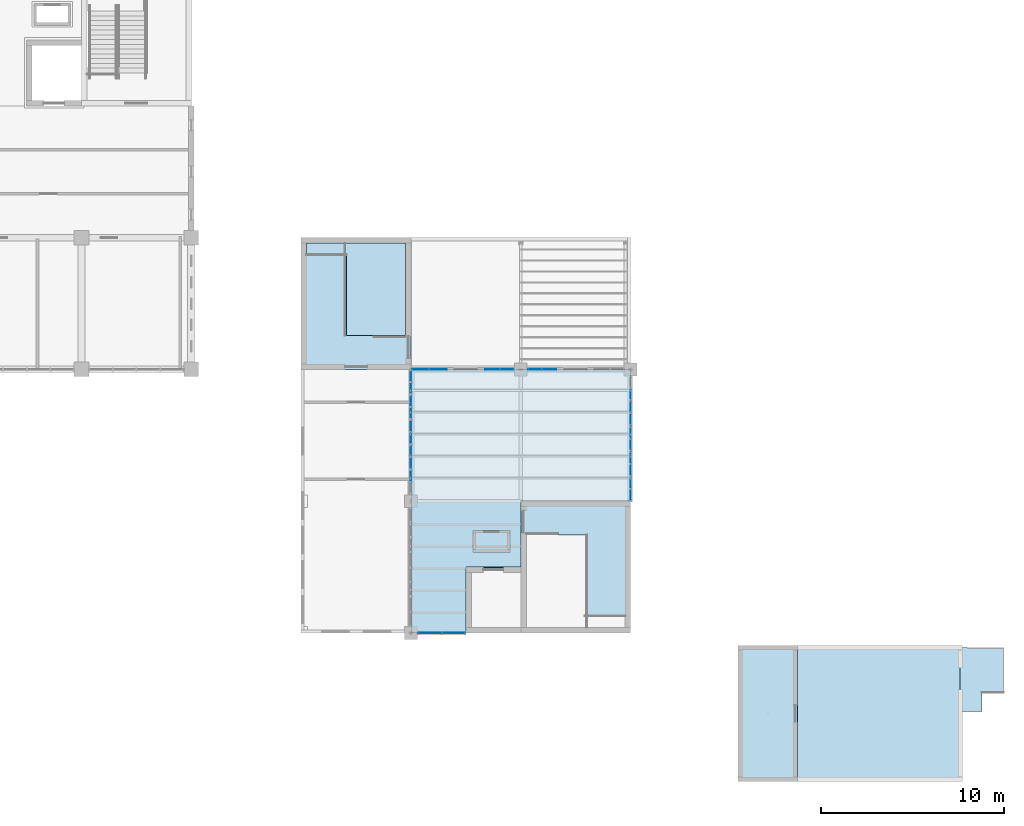
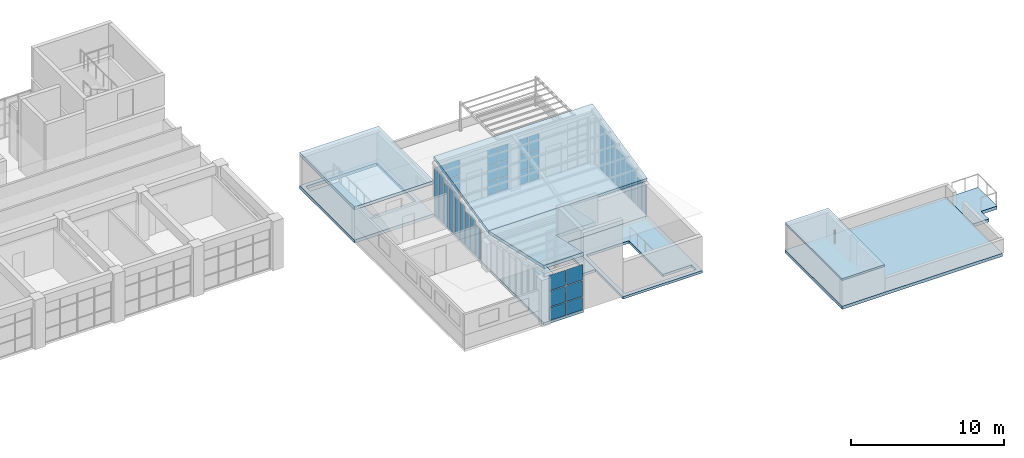
# One storey, part 34 of 51: 42 plates, 9 slabs, 14 elements without a shape of their own.
"""IFC4 building model written with IfcOpenShell, lengths in metres."""

import ifcopenshell
import ifcopenshell.guid

model = None  # the IFC model being written
_history = None  # IfcOwnerHistory: only IFC2X3 demands one
_inside = {}  # id of a spatial element -> (the spatial element, [elements in it])
_under = {}  # id of a project, library or spatial element -> (it, [spatial elements below it])
_declared = {}  # id of a project -> (the project, [libraries it declares])
_typed = {}  # id of a type object -> (the type object, [elements of that type])
_made_of = {}  # id of a material, layer set ... -> (it, [elements and type objects made of it])


def new_model(schema):
    """Start an empty IFC model of exactly this schema.

    Asked for "IFC4X3", IfcOpenShell would pick the latest addendum, in which some entities
    have other attributes; the version numbers below select the first issue.
    IFC2X3 requires an IfcOwnerHistory on every rooted entity: one is made here for all.
    """
    global model, _history
    if schema == "IFC4X3":
        model = ifcopenshell.file(schema_version=(4, 3, 0, 0))
    else:
        model = ifcopenshell.file(schema=schema)
    _inside.clear()
    _under.clear()
    _declared.clear()
    _typed.clear()
    _made_of.clear()
    _history = None
    if model.schema == "IFC2X3":
        org = make("IfcOrganization", Name="unknown")
        user = make(
            "IfcPersonAndOrganization",
            ThePerson=make("IfcPerson", FamilyName="unknown"),
            TheOrganization=org,
        )
        app = make(
            "IfcApplication",
            ApplicationDeveloper=org,
            Version="unknown",
            ApplicationFullName="unknown",
            ApplicationIdentifier="unknown",
        )
        _history = make(
            "IfcOwnerHistory",
            OwningUser=user,
            OwningApplication=app,
            ChangeAction="ADDED",
            CreationDate=0,
        )
    return model


def make(cls, **values):
    """One entity of the class cls with the attributes given. An attribute that is None is left unset."""
    return model.create_entity(
        cls, **{name: value for name, value in values.items() if value is not None}
    )


def rooted(cls, **values):
    """An entity with a GlobalId (a new one), such as an element, a storey or a relation."""
    return make(cls, GlobalId=ifcopenshell.guid.new(), OwnerHistory=_history, **values)


def si_unit(unit_type, name, prefix=None):
    """IfcSIUnit, for example si_unit("LENGTHUNIT", "METRE", prefix="MILLI")."""
    return make("IfcSIUnit", UnitType=unit_type, Prefix=prefix, Name=name)


def assignment(units):
    """IfcUnitAssignment: the units of a project."""
    return None if units is None else make("IfcUnitAssignment", Units=units)


def point(xyz):
    """IfcCartesianPoint."""
    return None if xyz is None else make("IfcCartesianPoint", Coordinates=xyz)


def direction(xyz):
    """IfcDirection."""
    return None if xyz is None else make("IfcDirection", DirectionRatios=xyz)


def frame(location, z_axis=None, x_axis=None):
    """IfcAxis2Placement3D, a coordinate frame: its origin and axes. An axis left out is left unset."""
    return make(
        "IfcAxis2Placement3D",
        Location=point(location),
        Axis=direction(z_axis),
        RefDirection=direction(x_axis),
    )


def frame_2d(location, x_axis=None):
    """IfcAxis2Placement2D, a coordinate frame in the plane: its origin and x axis."""
    return make(
        "IfcAxis2Placement2D", Location=point(location), RefDirection=direction(x_axis)
    )


def origin():
    """The frame at (0, 0, 0) with its axes left unset."""
    return frame((0.0, 0.0, 0.0))


def origin_2d():
    """The frame at (0, 0) in the plane with its x axis left unset."""
    return frame_2d((0.0, 0.0))


def place(relative_to, where):
    """IfcLocalPlacement: puts the frame where relative to a parent placement (None: the world)."""
    return make(
        "IfcLocalPlacement", PlacementRelTo=relative_to, RelativePlacement=where
    )


def context(
    kind, dimensions, precision=None, world=None, true_north=None, identifier=None
):
    """IfcGeometricRepresentationContext, for example the 3D "Model" context."""
    return make(
        "IfcGeometricRepresentationContext",
        ContextIdentifier=identifier,
        ContextType=kind,
        CoordinateSpaceDimension=dimensions,
        Precision=precision,
        WorldCoordinateSystem=world,
        TrueNorth=true_north,
    )


def subcontext(parent, identifier, kind, view, scale=None):
    """IfcGeometricRepresentationSubContext, for example "Body" below "Model"."""
    return make(
        "IfcGeometricRepresentationSubContext",
        ContextIdentifier=identifier,
        ContextType=kind,
        ParentContext=parent,
        TargetScale=scale,
        TargetView=view,
    )


def project(units=None, contexts=None):
    """IfcProject with its units and contexts."""
    return rooted(
        "IfcProject",
        Name="project",
        RepresentationContexts=contexts,
        UnitsInContext=assignment(units),
    )


def spatial(cls, under=None, at=None, **own):
    """A site, building, storey or space (cls), placed at a placement, below another one or the project."""
    s = rooted(cls, ObjectPlacement=at, **own)
    if under is not None:
        _under.setdefault(under.id(), (under, []))[1].append(s)
    return s


def polyline(points):
    """IfcPolyline through the points."""
    return make("IfcPolyline", Points=[point(p) for p in points])


def profile(cls, at=None, kind="AREA", **sizes):
    """A parametric profile (cls). Its sizes go by their IFC names, for example OverallWidth=200.0."""
    return make(cls, ProfileType=kind, Position=at, **sizes)


def rectangle(**sizes):
    """IfcRectangleProfileDef."""
    return profile("IfcRectangleProfileDef", **sizes)


def outline(outer, holes=None, kind="AREA"):
    """IfcArbitraryClosedProfileDef: a profile drawn as a closed curve; with holes, ...WithVoids."""
    if holes is None:
        return make("IfcArbitraryClosedProfileDef", ProfileType=kind, OuterCurve=outer)
    return make(
        "IfcArbitraryProfileDefWithVoids",
        ProfileType=kind,
        OuterCurve=outer,
        InnerCurves=holes,
    )


def extrude(swept, where, along, depth):
    """IfcExtrudedAreaSolid: the profile swept, set in the frame where, extruded along a direction by depth."""
    return make(
        "IfcExtrudedAreaSolid",
        SweptArea=swept,
        Position=where,
        ExtrudedDirection=direction(along),
        Depth=depth,
    )


def shape(context_of_items, identifier, shape_type, items):
    """IfcShapeRepresentation: the items that make up one representation, for example the "Body"."""
    return make(
        "IfcShapeRepresentation",
        ContextOfItems=context_of_items,
        RepresentationIdentifier=identifier,
        RepresentationType=shape_type,
        Items=items,
    )


def material(Name=None, Category=None):
    """IfcMaterial."""
    return make("IfcMaterial", Name=Name, Category=Category)


def layer(
    of_material, thickness, ventilated=None, Name=None, Category=None, Priority=None
):
    """IfcMaterialLayer: one layer of a wall or slab, of a material (None: an air gap)."""
    return make(
        "IfcMaterialLayer",
        Material=of_material,
        LayerThickness=thickness,
        IsVentilated=ventilated,
        Name=Name,
        Category=Category,
        Priority=Priority,
    )


def layer_set(layers, Name=None):
    """IfcMaterialLayerSet."""
    return make("IfcMaterialLayerSet", MaterialLayers=layers, LayerSetName=Name)


def made_of(thing, what):
    """Note that an element or type object is made of a material, layer set ...; save() writes the relation."""
    if what is not None:
        _made_of.setdefault(what.id(), (what, []))[1].append(thing)
    return thing


def type_object(cls, material=None, **own):
    """A type object (cls), such as IfcWallType, which elements share."""
    return made_of(rooted(cls, **own), material)


def element(
    cls,
    number,
    at=None,
    inside=None,
    cuts=None,
    type_object=None,
    material=None,
    context=None,
    identifier="Body",
    shape_type=None,
    held_by="IfcProductDefinitionShape",
    body=None,
    shapes=None,
    **own,
):
    """One element of the class cls, such as IfcWall. Its Tag is "e" and its number.

    at: its placement. inside: the storey or other place that contains it. cuts: it is an
    opening in that element (IfcRelVoidsElement). A single representation is given by context,
    identifier, shape_type and body (its items); several are given by shapes. held_by: the class
    of the entity that holds the representations. save() writes the other relations.
    """
    e = rooted(cls, Tag="e%d" % number, ObjectPlacement=at, **own)
    if body is not None:
        shapes = [shape(context, identifier, shape_type, body)]
    if shapes is not None:
        e.Representation = make(held_by, Representations=shapes)
    if inside is not None:
        _inside.setdefault(inside.id(), (inside, []))[1].append(e)
    if cuts is not None:
        rooted(
            "IfcRelVoidsElement", RelatingBuildingElement=cuts, RelatedOpeningElement=e
        )
    if type_object is not None:
        _typed.setdefault(type_object.id(), (type_object, []))[1].append(e)
    return made_of(e, material)


def aggregate(whole, parts):
    """IfcRelAggregates: a whole, such as a stair, and the parts it consists of."""
    return rooted("IfcRelAggregates", RelatingObject=whole, RelatedObjects=parts)


def save(model, path):
    """Write the relations noted so far, then the file.

    IfcRelAggregates (storeys below a building ...), IfcRelContainedInSpatialStructure (elements
    in a storey), IfcRelDefinesByType, IfcRelAssociatesMaterial and IfcRelDeclares: one each for
    every whole, place, type object, material and project.
    """
    for whole, parts in _under.values():
        aggregate(whole, parts)
    for where, things in _inside.values():
        rooted(
            "IfcRelContainedInSpatialStructure",
            RelatedElements=things,
            RelatingStructure=where,
        )
    for kind, things in _typed.values():
        rooted("IfcRelDefinesByType", RelatedObjects=things, RelatingType=kind)
    for what, things in _made_of.values():
        rooted("IfcRelAssociatesMaterial", RelatedObjects=things, RelatingMaterial=what)
    for by, libraries in _declared.values():
        rooted("IfcRelDeclares", RelatingContext=by, RelatedDefinitions=libraries)
    model.write(path)


model = new_model("IFC4")

# Units and contexts
model_context = context("Model", 3, precision=1e-05, world=origin(), true_north=direction((0.0, 1.0)))
body_context = subcontext(model_context, "Body", "Model", "MODEL_VIEW")
ifc_project = project(units=[si_unit("LENGTHUNIT", "METRE"), si_unit("AREAUNIT", "SQUARE_METRE"), si_unit("VOLUMEUNIT", "CUBIC_METRE"), si_unit("PLANEANGLEUNIT", "RADIAN"), si_unit("MASSUNIT", "GRAM", prefix="KILO")], contexts=[model_context])

# Site, building, storey
site_placement = place(None, origin())
site = spatial("IfcSite", under=ifc_project, at=site_placement, CompositionType="ELEMENT")
building_placement = place(site_placement, origin())
building = spatial("IfcBuilding", under=site, at=building_placement, Name="Laocheng Heights Fire and Rescue Headquarters", CompositionType="ELEMENT")
storey_placement = place(building_placement, frame((0.0, 0.0, 21.0)))
storey = spatial("IfcBuildingStorey", under=building, at=storey_placement, Name="L05", CompositionType="ELEMENT", Elevation=21.0)

# Curtain wall, plates
ifc_material_1 = material(Name="Dark anodised aluminium unitised curtain wall, low-e double glazing", Category="aluminium")
curtain_wall_type_1 = type_object("IfcCurtainWallType", Name="CW 2650 x 3714 CREW ROOF LOUNGE GLAZING", PredefinedType="NOTDEFINED", material=ifc_material_1)
curtain_wall_1_placement = place(storey_placement, origin())
curtain_wall_1 = element("IfcCurtainWall", 1, at=curtain_wall_1_placement, inside=storey, type_object=curtain_wall_type_1, Name="X9-W CREW LOUNGE SOUTH L05", PredefinedType="NOTDEFINED")
ifc_material_2 = material(Name="Laminated safety glass, low-e double glazed unit", Category="glass")
ifc_layer_1 = layer(ifc_material_2, 0.0400390625)
ifc_layer_set_1 = layer_set([ifc_layer_1], Name="Laminated safety glass, low-e double glazed unit")
plate_type_1 = type_object("IfcPlateType", Name="CW LAMINATED SAFETY PANEL 40 W", PredefinedType="CURTAIN_PANEL", material=ifc_layer_set_1)
plate_1_placement = place(storey_placement, frame((97.027587890625, 36.0, 0.050048828125), z_axis=(0.0, 0.0, 1.0), x_axis=(1.0, 0.0, 0.0)))
plate_1 = element("IfcPlate", 2, at=plate_1_placement, type_object=plate_type_1, Name="X9-W panel 1.1", PredefinedType="CURTAIN_PANEL", context=body_context, shape_type="SweptSolid", body=[
    extrude(rectangle(XDim=1.235107421875, YDim=0.0400390625, at=origin_2d()), origin(), (0.0, 0.0, 1.0), 1.02490234375),
])
plate_2_placement = place(storey_placement, frame((98.322509765625, 36.0, 0.050048828125), z_axis=(0.0, 0.0, 1.0), x_axis=(1.0, 0.0, 0.0)))
plate_2 = element("IfcPlate", 3, at=plate_2_placement, type_object=plate_type_1, Name="X9-W panel 2.1", PredefinedType="CURTAIN_PANEL", context=body_context, shape_type="SweptSolid", body=[
    extrude(rectangle(XDim=1.235107421875, YDim=0.0400390625, at=origin_2d()), origin(), (0.0, 0.0, 1.0), 1.02490234375),
])
ifc_material_3 = material(Name="Low-e double glazed unit, laminated inner pane")
ifc_layer_2 = layer(ifc_material_3, 0.028076171875)
ifc_layer_set_2 = layer_set([ifc_layer_2], Name="Low-e double glazed unit, laminated inner pane")
plate_type_2 = type_object("IfcPlateType", Name="CW VISION PANEL 28 W", PredefinedType="CURTAIN_PANEL", material=ifc_layer_set_2)
plate_3_placement = place(storey_placement, frame((97.027587890625, 36.0, 1.125), z_axis=(0.0, 0.0, 1.0), x_axis=(1.0, 0.0, 0.0)))
plate_3 = element("IfcPlate", 4, at=plate_3_placement, type_object=plate_type_2, Name="X9-W panel 1.2", PredefinedType="CURTAIN_PANEL", context=body_context, shape_type="SweptSolid", body=[
    extrude(rectangle(XDim=1.235107421875, YDim=0.028076171875, at=origin_2d()), origin(), (0.0, 0.0, 1.0), 1.25),
])
plate_4_placement = place(storey_placement, frame((97.027587890625, 36.0, 2.4248046875), z_axis=(0.0, 0.0, 1.0), x_axis=(1.0, 0.0, 0.0)))
plate_4 = element("IfcPlate", 5, at=plate_4_placement, type_object=plate_type_2, Name="X9-W panel 1.3", PredefinedType="CURTAIN_PANEL", context=body_context, shape_type="SweptSolid", body=[
    extrude(rectangle(XDim=1.235107421875, YDim=0.028076171875, at=origin_2d()), origin(), (0.0, 0.0, 1.0), 1.239501953125),
])
plate_5_placement = place(storey_placement, frame((98.322509765625, 36.0, 1.125), z_axis=(0.0, 0.0, 1.0), x_axis=(1.0, 0.0, 0.0)))
plate_5 = element("IfcPlate", 6, at=plate_5_placement, type_object=plate_type_2, Name="X9-W panel 2.2", PredefinedType="CURTAIN_PANEL", context=body_context, shape_type="SweptSolid", body=[
    extrude(rectangle(XDim=1.235107421875, YDim=0.028076171875, at=origin_2d()), origin(), (0.0, 0.0, 1.0), 1.25),
])
plate_6_placement = place(storey_placement, frame((98.322509765625, 36.0, 2.4248046875), z_axis=(0.0, 0.0, 1.0), x_axis=(1.0, 0.0, 0.0)))
plate_6 = element("IfcPlate", 7, at=plate_6_placement, type_object=plate_type_2, Name="X9-W panel 2.3", PredefinedType="CURTAIN_PANEL", context=body_context, shape_type="SweptSolid", body=[
    extrude(rectangle(XDim=1.235107421875, YDim=0.028076171875, at=origin_2d()), origin(), (0.0, 0.0, 1.0), 1.239501953125),
])
aggregate(curtain_wall_1, [plate_1, plate_3, plate_4, plate_2, plate_5, plate_6])

ifc_material_4 = material(Name="Dark anodised aluminium unitised curtain wall, low-e double glazing", Category="aluminium")
curtain_wall_type_2 = type_object("IfcCurtainWallType", Name="CW 1950 x 3714 CREW ROOF LOUNGE GLAZING", PredefinedType="NOTDEFINED", material=ifc_material_4)
curtain_wall_2_placement = place(storey_placement, origin())
curtain_wall_2 = element("IfcCurtainWall", 8, at=curtain_wall_2_placement, inside=storey, type_object=curtain_wall_type_2, Name="X10-W CREW LOUNGE NORTH L05", PredefinedType="NOTDEFINED")
plate_7_placement = place(storey_placement, frame((96.50244140625, 50.39990234375, 0.050048828125), z_axis=(0.0, 0.0, 1.0), x_axis=(1.0, 0.0, 0.0)))
plate_7 = element("IfcPlate", 9, at=plate_7_placement, type_object=plate_type_2, Name="X10-W panel 1.1", PredefinedType="CURTAIN_PANEL", context=body_context, shape_type="SweptSolid", body=[
    extrude(rectangle(XDim=0.885009765625, YDim=0.028076171875, at=origin_2d()), origin(), (0.0, 0.0, 1.0), 1.02490234375),
])
plate_8_placement = place(storey_placement, frame((96.50244140625, 50.39990234375, 1.125), z_axis=(0.0, 0.0, 1.0), x_axis=(1.0, 0.0, 0.0)))
plate_8 = element("IfcPlate", 10, at=plate_8_placement, type_object=plate_type_2, Name="X10-W panel 1.2", PredefinedType="CURTAIN_PANEL", context=body_context, shape_type="SweptSolid", body=[
    extrude(rectangle(XDim=0.885009765625, YDim=0.028076171875, at=origin_2d()), origin(), (0.0, 0.0, 1.0), 1.25),
])
plate_9_placement = place(storey_placement, frame((96.50244140625, 50.39990234375, 2.4248046875), z_axis=(0.0, 0.0, 1.0), x_axis=(1.0, 0.0, 0.0)))
plate_9 = element("IfcPlate", 11, at=plate_9_placement, type_object=plate_type_2, Name="X10-W panel 1.3", PredefinedType="CURTAIN_PANEL", context=body_context, shape_type="SweptSolid", body=[
    extrude(rectangle(XDim=0.885009765625, YDim=0.028076171875, at=origin_2d()), origin(), (0.0, 0.0, 1.0), 1.239501953125),
])
plate_10_placement = place(storey_placement, frame((97.4775390625, 50.39990234375, 0.050048828125), z_axis=(0.0, 0.0, 1.0), x_axis=(1.0, 0.0, 0.0)))
plate_10 = element("IfcPlate", 12, at=plate_10_placement, type_object=plate_type_2, Name="X10-W panel 2.1", PredefinedType="CURTAIN_PANEL", context=body_context, shape_type="SweptSolid", body=[
    extrude(rectangle(XDim=0.945068359375, YDim=0.028076171875, at=origin_2d()), origin(), (0.0, 0.0, 1.0), 1.02490234375),
])
plate_11_placement = place(storey_placement, frame((97.4775390625, 50.39990234375, 1.125), z_axis=(0.0, 0.0, 1.0), x_axis=(1.0, 0.0, 0.0)))
plate_11 = element("IfcPlate", 13, at=plate_11_placement, type_object=plate_type_2, Name="X10-W panel 2.2", PredefinedType="CURTAIN_PANEL", context=body_context, shape_type="SweptSolid", body=[
    extrude(rectangle(XDim=0.945068359375, YDim=0.028076171875, at=origin_2d()), origin(), (0.0, 0.0, 1.0), 1.25),
])
plate_12_placement = place(storey_placement, frame((97.4775390625, 50.39990234375, 2.4248046875), z_axis=(0.0, 0.0, 1.0), x_axis=(1.0, 0.0, 0.0)))
plate_12 = element("IfcPlate", 14, at=plate_12_placement, type_object=plate_type_2, Name="X10-W panel 2.3", PredefinedType="CURTAIN_PANEL", context=body_context, shape_type="SweptSolid", body=[
    extrude(rectangle(XDim=0.945068359375, YDim=0.028076171875, at=origin_2d()), origin(), (0.0, 0.0, 1.0), 1.239501953125),
])
aggregate(curtain_wall_2, [plate_7, plate_8, plate_9, plate_10, plate_11, plate_12])

ifc_material_5 = material(Name="Dark anodised aluminium unitised curtain wall, low-e double glazing", Category="aluminium")
curtain_wall_type_3 = type_object("IfcCurtainWallType", Name="CW 1600 x 3714 CREW ROOF LOUNGE GLAZING", PredefinedType="NOTDEFINED", material=ifc_material_5)
curtain_wall_3_placement = place(storey_placement, origin())
curtain_wall_3 = element("IfcCurtainWall", 15, at=curtain_wall_3_placement, inside=storey, type_object=curtain_wall_type_3, Name="X11-W CREW LOUNGE NORTH L05", PredefinedType="NOTDEFINED")
plate_13_placement = place(storey_placement, frame((100.43505859375, 50.39990234375, 0.050048828125), z_axis=(0.0, 0.0, 1.0), x_axis=(1.0, 0.0, 0.0)))
plate_13 = element("IfcPlate", 16, at=plate_13_placement, type_object=plate_type_2, Name="X11-W panel 1.1", PredefinedType="CURTAIN_PANEL", context=body_context, shape_type="SweptSolid", body=[
    extrude(rectangle(XDim=0.77001953125, YDim=0.028076171875, at=origin_2d()), origin(), (0.0, 0.0, 1.0), 1.02490234375),
])
plate_14_placement = place(storey_placement, frame((100.43505859375, 50.39990234375, 1.125), z_axis=(0.0, 0.0, 1.0), x_axis=(1.0, 0.0, 0.0)))
plate_14 = element("IfcPlate", 17, at=plate_14_placement, type_object=plate_type_2, Name="X11-W panel 1.2", PredefinedType="CURTAIN_PANEL", context=body_context, shape_type="SweptSolid", body=[
    extrude(rectangle(XDim=0.77001953125, YDim=0.028076171875, at=origin_2d()), origin(), (0.0, 0.0, 1.0), 1.25),
])
plate_15_placement = place(storey_placement, frame((100.43505859375, 50.39990234375, 2.4248046875), z_axis=(0.0, 0.0, 1.0), x_axis=(1.0, 0.0, 0.0)))
plate_15 = element("IfcPlate", 18, at=plate_15_placement, type_object=plate_type_2, Name="X11-W panel 1.3", PredefinedType="CURTAIN_PANEL", context=body_context, shape_type="SweptSolid", body=[
    extrude(rectangle(XDim=0.77001953125, YDim=0.028076171875, at=origin_2d()), origin(), (0.0, 0.0, 1.0), 1.239501953125),
])
plate_16_placement = place(storey_placement, frame((101.235107421875, 50.39990234375, 0.050048828125), z_axis=(0.0, 0.0, 1.0), x_axis=(1.0, 0.0, 0.0)))
plate_16 = element("IfcPlate", 19, at=plate_16_placement, type_object=plate_type_2, Name="X11-W panel 2.1", PredefinedType="CURTAIN_PANEL", context=body_context, shape_type="SweptSolid", body=[
    extrude(rectangle(XDim=0.7099609375, YDim=0.028076171875, at=origin_2d()), origin(), (0.0, 0.0, 1.0), 1.02490234375),
])
plate_17_placement = place(storey_placement, frame((101.235107421875, 50.39990234375, 1.125), z_axis=(0.0, 0.0, 1.0), x_axis=(1.0, 0.0, 0.0)))
plate_17 = element("IfcPlate", 20, at=plate_17_placement, type_object=plate_type_2, Name="X11-W panel 2.2", PredefinedType="CURTAIN_PANEL", context=body_context, shape_type="SweptSolid", body=[
    extrude(rectangle(XDim=0.7099609375, YDim=0.028076171875, at=origin_2d()), origin(), (0.0, 0.0, 1.0), 1.25),
])
plate_18_placement = place(storey_placement, frame((101.235107421875, 50.39990234375, 2.4248046875), z_axis=(0.0, 0.0, 1.0), x_axis=(1.0, 0.0, 0.0)))
plate_18 = element("IfcPlate", 21, at=plate_18_placement, type_object=plate_type_2, Name="X11-W panel 2.3", PredefinedType="CURTAIN_PANEL", context=body_context, shape_type="SweptSolid", body=[
    extrude(rectangle(XDim=0.7099609375, YDim=0.028076171875, at=origin_2d()), origin(), (0.0, 0.0, 1.0), 1.239501953125),
])
aggregate(curtain_wall_3, [plate_13, plate_14, plate_15, plate_16, plate_17, plate_18])

curtain_wall_4_placement = place(storey_placement, origin())
curtain_wall_4 = element("IfcCurtainWall", 22, at=curtain_wall_4_placement, inside=storey, type_object=curtain_wall_type_3, Name="X11-W CREW LOUNGE NORTH L05", PredefinedType="NOTDEFINED")
plate_19_placement = place(storey_placement, frame((102.764892578125, 50.39990234375, 0.050048828125), z_axis=(0.0, 0.0, 1.0), x_axis=(1.0, 0.0, 0.0)))
plate_19 = element("IfcPlate", 23, at=plate_19_placement, type_object=plate_type_2, Name="X11-W panel 1.1", PredefinedType="CURTAIN_PANEL", context=body_context, shape_type="SweptSolid", body=[
    extrude(rectangle(XDim=0.7099609375, YDim=0.028076171875, at=origin_2d()), origin(), (0.0, 0.0, 1.0), 1.02490234375),
])
plate_20_placement = place(storey_placement, frame((102.764892578125, 50.39990234375, 1.125), z_axis=(0.0, 0.0, 1.0), x_axis=(1.0, 0.0, 0.0)))
plate_20 = element("IfcPlate", 24, at=plate_20_placement, type_object=plate_type_2, Name="X11-W panel 1.2", PredefinedType="CURTAIN_PANEL", context=body_context, shape_type="SweptSolid", body=[
    extrude(rectangle(XDim=0.7099609375, YDim=0.028076171875, at=origin_2d()), origin(), (0.0, 0.0, 1.0), 1.25),
])
plate_21_placement = place(storey_placement, frame((102.764892578125, 50.39990234375, 2.4248046875), z_axis=(0.0, 0.0, 1.0), x_axis=(1.0, 0.0, 0.0)))
plate_21 = element("IfcPlate", 25, at=plate_21_placement, type_object=plate_type_2, Name="X11-W panel 1.3", PredefinedType="CURTAIN_PANEL", context=body_context, shape_type="SweptSolid", body=[
    extrude(rectangle(XDim=0.7099609375, YDim=0.028076171875, at=origin_2d()), origin(), (0.0, 0.0, 1.0), 1.239501953125),
])
plate_22_placement = place(storey_placement, frame((103.56494140625, 50.39990234375, 0.050048828125), z_axis=(0.0, 0.0, 1.0), x_axis=(1.0, 0.0, 0.0)))
plate_22 = element("IfcPlate", 26, at=plate_22_placement, type_object=plate_type_2, Name="X11-W panel 2.1", PredefinedType="CURTAIN_PANEL", context=body_context, shape_type="SweptSolid", body=[
    extrude(rectangle(XDim=0.77001953125, YDim=0.028076171875, at=origin_2d()), origin(), (0.0, 0.0, 1.0), 1.02490234375),
])
plate_23_placement = place(storey_placement, frame((103.56494140625, 50.39990234375, 1.125), z_axis=(0.0, 0.0, 1.0), x_axis=(1.0, 0.0, 0.0)))
plate_23 = element("IfcPlate", 27, at=plate_23_placement, type_object=plate_type_2, Name="X11-W panel 2.2", PredefinedType="CURTAIN_PANEL", context=body_context, shape_type="SweptSolid", body=[
    extrude(rectangle(XDim=0.77001953125, YDim=0.028076171875, at=origin_2d()), origin(), (0.0, 0.0, 1.0), 1.25),
])
plate_24_placement = place(storey_placement, frame((103.56494140625, 50.39990234375, 2.4248046875), z_axis=(0.0, 0.0, 1.0), x_axis=(1.0, 0.0, 0.0)))
plate_24 = element("IfcPlate", 28, at=plate_24_placement, type_object=plate_type_2, Name="X11-W panel 2.3", PredefinedType="CURTAIN_PANEL", context=body_context, shape_type="SweptSolid", body=[
    extrude(rectangle(XDim=0.77001953125, YDim=0.028076171875, at=origin_2d()), origin(), (0.0, 0.0, 1.0), 1.239501953125),
])
aggregate(curtain_wall_4, [plate_19, plate_20, plate_21, plate_22, plate_23, plate_24])

# Curtain wall, plate
ifc_material_6 = material(Name="Dark anodised aluminium unitised curtain wall, low-e double glazing", Category="aluminium")
curtain_wall_type_4 = type_object("IfcCurtainWallType", Name="CW 1370 x 2507 CREW LOUNGE END UNIT", PredefinedType="NOTDEFINED", material=ifc_material_6)
curtain_wall_5_placement = place(storey_placement, origin())
curtain_wall_5 = element("IfcCurtainWall", 29, at=curtain_wall_5_placement, inside=storey, type_object=curtain_wall_type_4, Name="X16-W CREW LOUNGE WEST 43 1", PredefinedType="NOTDEFINED")
plate_25_placement = place(storey_placement, frame((96.0, 44.5625, 0.050048828125), z_axis=(0.0, 0.0, 1.0), x_axis=(0.0, 1.0, 0.0)))
plate_25 = element("IfcPlate", 30, at=plate_25_placement, type_object=plate_type_2, Name="X16-W panel 2.1", PredefinedType="CURTAIN_PANEL", context=body_context, shape_type="SweptSolid", body=[
    extrude(rectangle(XDim=0.594970703125, YDim=0.028076171875, at=origin_2d()), origin(), (0.0, 0.0, 1.0), 2.40673828125),
])
aggregate(curtain_wall_5, [plate_25])

# Curtain wall, plates
ifc_material_7 = material(Name="Dark anodised aluminium unitised curtain wall, low-e double glazing", Category="aluminium")
curtain_wall_type_5 = type_object("IfcCurtainWallType", Name="CW 1370 x 2811 CREW LOUNGE END UNIT", PredefinedType="NOTDEFINED", material=ifc_material_7)
curtain_wall_6_placement = place(storey_placement, origin())
curtain_wall_6 = element("IfcCurtainWall", 31, at=curtain_wall_6_placement, inside=storey, type_object=curtain_wall_type_5, Name="X17-W CREW LOUNGE WEST 43 2", PredefinedType="NOTDEFINED")
plate_26_placement = place(storey_placement, frame((96.0, 45.277587890625, 0.05029296875), z_axis=(0.0, 0.0, 1.0), x_axis=(0.0, 1.0, 0.0)))
plate_26 = element("IfcPlate", 32, at=plate_26_placement, type_object=plate_type_2, Name="X17-W panel 1.1", PredefinedType="CURTAIN_PANEL", context=body_context, shape_type="SweptSolid", body=[
    extrude(rectangle(XDim=0.594970703125, YDim=0.028076171875, at=origin_2d()), origin(), (0.0, 0.0, 1.0), 2.711181640625),
])
plate_27_placement = place(storey_placement, frame((96.0, 45.9326171875, 0.05029296875), z_axis=(0.0, 0.0, 1.0), x_axis=(0.0, 1.0, 0.0)))
plate_27 = element("IfcPlate", 33, at=plate_27_placement, type_object=plate_type_2, Name="X17-W panel 2.1", PredefinedType="CURTAIN_PANEL", context=body_context, shape_type="SweptSolid", body=[
    extrude(rectangle(XDim=0.594970703125, YDim=0.028076171875, at=origin_2d()), origin(), (0.0, 0.0, 1.0), 2.711181640625),
])
aggregate(curtain_wall_6, [plate_26, plate_27])

ifc_material_8 = material(Name="Dark anodised aluminium unitised curtain wall, low-e double glazing", Category="aluminium")
curtain_wall_type_6 = type_object("IfcCurtainWallType", Name="CW 1370 x 3116 CREW LOUNGE END UNIT", PredefinedType="NOTDEFINED", material=ifc_material_8)
curtain_wall_7_placement = place(storey_placement, origin())
curtain_wall_7 = element("IfcCurtainWall", 34, at=curtain_wall_7_placement, inside=storey, type_object=curtain_wall_type_6, Name="X18-W CREW LOUNGE WEST 43 3", PredefinedType="NOTDEFINED")
plate_28_placement = place(storey_placement, frame((96.0, 46.6474609375, 0.050048828125), z_axis=(0.0, 0.0, 1.0), x_axis=(0.0, 1.0, 0.0)))
plate_28 = element("IfcPlate", 35, at=plate_28_placement, type_object=plate_type_2, Name="X18-W panel 1.1", PredefinedType="CURTAIN_PANEL", context=body_context, shape_type="SweptSolid", body=[
    extrude(rectangle(XDim=0.594970703125, YDim=0.028076171875, at=origin_2d()), origin(), (0.0, 0.0, 1.0), 3.015625),
])
plate_29_placement = place(storey_placement, frame((96.0, 47.302490234375, 0.050048828125), z_axis=(0.0, 0.0, 1.0), x_axis=(0.0, 1.0, 0.0)))
plate_29 = element("IfcPlate", 36, at=plate_29_placement, type_object=plate_type_2, Name="X18-W panel 2.1", PredefinedType="CURTAIN_PANEL", context=body_context, shape_type="SweptSolid", body=[
    extrude(rectangle(XDim=0.594970703125, YDim=0.028076171875, at=origin_2d()), origin(), (0.0, 0.0, 1.0), 3.015625),
])
aggregate(curtain_wall_7, [plate_28, plate_29])

ifc_material_9 = material(Name="Dark anodised aluminium unitised curtain wall, low-e double glazing", Category="aluminium")
curtain_wall_type_7 = type_object("IfcCurtainWallType", Name="CW 1370 x 3420 CREW LOUNGE END UNIT", PredefinedType="NOTDEFINED", material=ifc_material_9)
curtain_wall_8_placement = place(storey_placement, origin())
curtain_wall_8 = element("IfcCurtainWall", 37, at=curtain_wall_8_placement, inside=storey, type_object=curtain_wall_type_7, Name="X19-W CREW LOUNGE WEST 43 4", PredefinedType="NOTDEFINED")
plate_30_placement = place(storey_placement, frame((96.0, 48.017578125, 0.0498046875), z_axis=(0.0, 0.0, 1.0), x_axis=(0.0, 1.0, 0.0)))
plate_30 = element("IfcPlate", 38, at=plate_30_placement, type_object=plate_type_2, Name="X19-W panel 1.1", PredefinedType="CURTAIN_PANEL", context=body_context, shape_type="SweptSolid", body=[
    extrude(rectangle(XDim=0.594970703125, YDim=0.028076171875, at=origin_2d()), origin(), (0.0, 0.0, 1.0), 3.320068359375),
])
plate_31_placement = place(storey_placement, frame((96.0, 48.672607421875, 0.0498046875), z_axis=(0.0, 0.0, 1.0), x_axis=(0.0, 1.0, 0.0)))
plate_31 = element("IfcPlate", 39, at=plate_31_placement, type_object=plate_type_2, Name="X19-W panel 2.1", PredefinedType="CURTAIN_PANEL", context=body_context, shape_type="SweptSolid", body=[
    extrude(rectangle(XDim=0.594970703125, YDim=0.028076171875, at=origin_2d()), origin(), (0.0, 0.0, 1.0), 3.320068359375),
])
aggregate(curtain_wall_8, [plate_30, plate_31])

ifc_material_10 = material(Name="Dark anodised aluminium unitised curtain wall, low-e double glazing", Category="aluminium")
curtain_wall_type_8 = type_object("IfcCurtainWallType", Name="CW 1370 x 3725 CREW LOUNGE END UNIT", PredefinedType="NOTDEFINED", material=ifc_material_10)
curtain_wall_9_placement = place(storey_placement, origin())
curtain_wall_9 = element("IfcCurtainWall", 40, at=curtain_wall_9_placement, inside=storey, type_object=curtain_wall_type_8, Name="X20-W CREW LOUNGE WEST 43 5", PredefinedType="NOTDEFINED")
plate_32_placement = place(storey_placement, frame((96.0, 49.387451171875, 0.050048828125), z_axis=(0.0, 0.0, 1.0), x_axis=(0.0, 1.0, 0.0)))
plate_32 = element("IfcPlate", 41, at=plate_32_placement, type_object=plate_type_2, Name="X20-W panel 1.1", PredefinedType="CURTAIN_PANEL", context=body_context, shape_type="SweptSolid", body=[
    extrude(rectangle(XDim=0.594970703125, YDim=0.028076171875, at=origin_2d()), origin(), (0.0, 0.0, 1.0), 3.62451171875),
])
plate_33_placement = place(storey_placement, frame((96.0, 50.04248046875, 0.050048828125), z_axis=(0.0, 0.0, 1.0), x_axis=(0.0, 1.0, 0.0)))
plate_33 = element("IfcPlate", 42, at=plate_33_placement, type_object=plate_type_2, Name="X20-W panel 2.1", PredefinedType="CURTAIN_PANEL", context=body_context, shape_type="SweptSolid", body=[
    extrude(rectangle(XDim=0.594970703125, YDim=0.028076171875, at=origin_2d()), origin(), (0.0, 0.0, 1.0), 3.62451171875),
])
aggregate(curtain_wall_9, [plate_32, plate_33])

ifc_material_11 = material(Name="Dark anodised aluminium unitised curtain wall, low-e double glazing", Category="aluminium")
curtain_wall_type_9 = type_object("IfcCurtainWallType", Name="CW 1370 x 2429 CREW LOUNGE END UNIT", PredefinedType="NOTDEFINED", material=ifc_material_11)
curtain_wall_10_placement = place(storey_placement, origin())
curtain_wall_10 = element("IfcCurtainWall", 43, at=curtain_wall_10_placement, inside=storey, type_object=curtain_wall_type_9, Name="X21-W CREW LOUNGE EAST 43 1", PredefinedType="NOTDEFINED")
plate_34_placement = place(storey_placement, frame((108.0, 43.5576171875, 0.050048828125), z_axis=(0.0, 0.0, 1.0), x_axis=(0.0, 1.0, 0.0)))
plate_34 = element("IfcPlate", 44, at=plate_34_placement, type_object=plate_type_2, Name="X21-W panel 1.1", PredefinedType="CURTAIN_PANEL", context=body_context, shape_type="SweptSolid", body=[
    extrude(rectangle(XDim=0.594970703125, YDim=0.028076171875, at=origin_2d()), origin(), (0.0, 0.0, 1.0), 2.3291015625),
])
plate_35_placement = place(storey_placement, frame((108.0, 44.21240234375, 0.050048828125), z_axis=(0.0, 0.0, 1.0), x_axis=(0.0, 1.0, 0.0)))
plate_35 = element("IfcPlate", 45, at=plate_35_placement, type_object=plate_type_2, Name="X21-W panel 2.1", PredefinedType="CURTAIN_PANEL", context=body_context, shape_type="SweptSolid", body=[
    extrude(rectangle(XDim=0.594970703125, YDim=0.028076171875, at=origin_2d()), origin(), (0.0, 0.0, 1.0), 2.3291015625),
])
aggregate(curtain_wall_10, [plate_34, plate_35])

ifc_material_12 = material(Name="Dark anodised aluminium unitised curtain wall, low-e double glazing", Category="aluminium")
curtain_wall_type_10 = type_object("IfcCurtainWallType", Name="CW 1370 x 2733 CREW LOUNGE END UNIT", PredefinedType="NOTDEFINED", material=ifc_material_12)
curtain_wall_11_placement = place(storey_placement, origin())
curtain_wall_11 = element("IfcCurtainWall", 46, at=curtain_wall_11_placement, inside=storey, type_object=curtain_wall_type_10, Name="X22-W CREW LOUNGE EAST 43 2", PredefinedType="NOTDEFINED")
plate_36_placement = place(storey_placement, frame((108.0, 44.927490234375, 0.0498046875), z_axis=(0.0, 0.0, 1.0), x_axis=(0.0, 1.0, 0.0)))
plate_36 = element("IfcPlate", 47, at=plate_36_placement, type_object=plate_type_2, Name="X22-W panel 1.1", PredefinedType="CURTAIN_PANEL", context=body_context, shape_type="SweptSolid", body=[
    extrude(rectangle(XDim=0.594970703125, YDim=0.028076171875, at=origin_2d()), origin(), (0.0, 0.0, 1.0), 2.633544921875),
])
plate_37_placement = place(storey_placement, frame((108.0, 45.58251953125, 0.0498046875), z_axis=(0.0, 0.0, 1.0), x_axis=(0.0, 1.0, 0.0)))
plate_37 = element("IfcPlate", 48, at=plate_37_placement, type_object=plate_type_2, Name="X22-W panel 2.1", PredefinedType="CURTAIN_PANEL", context=body_context, shape_type="SweptSolid", body=[
    extrude(rectangle(XDim=0.594970703125, YDim=0.028076171875, at=origin_2d()), origin(), (0.0, 0.0, 1.0), 2.633544921875),
])
aggregate(curtain_wall_11, [plate_36, plate_37])

ifc_material_13 = material(Name="Dark anodised aluminium unitised curtain wall, low-e double glazing", Category="aluminium")
curtain_wall_type_11 = type_object("IfcCurtainWallType", Name="CW 1370 x 3038 CREW LOUNGE END UNIT", PredefinedType="NOTDEFINED", material=ifc_material_13)
curtain_wall_12_placement = place(storey_placement, origin())
curtain_wall_12 = element("IfcCurtainWall", 49, at=curtain_wall_12_placement, inside=storey, type_object=curtain_wall_type_11, Name="X23-W CREW LOUNGE EAST 43 3", PredefinedType="NOTDEFINED")
plate_38_placement = place(storey_placement, frame((108.0, 46.297607421875, 0.050048828125), z_axis=(0.0, 0.0, 1.0), x_axis=(0.0, 1.0, 0.0)))
plate_38 = element("IfcPlate", 50, at=plate_38_placement, type_object=plate_type_2, Name="X23-W panel 1.1", PredefinedType="CURTAIN_PANEL", context=body_context, shape_type="SweptSolid", body=[
    extrude(rectangle(XDim=0.594970703125, YDim=0.028076171875, at=origin_2d()), origin(), (0.0, 0.0, 1.0), 2.93798828125),
])
plate_39_placement = place(storey_placement, frame((108.0, 46.952392578125, 0.050048828125), z_axis=(0.0, 0.0, 1.0), x_axis=(0.0, 1.0, 0.0)))
plate_39 = element("IfcPlate", 51, at=plate_39_placement, type_object=plate_type_2, Name="X23-W panel 2.1", PredefinedType="CURTAIN_PANEL", context=body_context, shape_type="SweptSolid", body=[
    extrude(rectangle(XDim=0.594970703125, YDim=0.028076171875, at=origin_2d()), origin(), (0.0, 0.0, 1.0), 2.93798828125),
])
aggregate(curtain_wall_12, [plate_38, plate_39])

ifc_material_14 = material(Name="Dark anodised aluminium unitised curtain wall, low-e double glazing", Category="aluminium")
curtain_wall_type_12 = type_object("IfcCurtainWallType", Name="CW 1370 x 3342 CREW LOUNGE END UNIT", PredefinedType="NOTDEFINED", material=ifc_material_14)
curtain_wall_13_placement = place(storey_placement, origin())
curtain_wall_13 = element("IfcCurtainWall", 52, at=curtain_wall_13_placement, inside=storey, type_object=curtain_wall_type_12, Name="X24-W CREW LOUNGE EAST 43 4", PredefinedType="NOTDEFINED")
plate_40_placement = place(storey_placement, frame((108.0, 47.66748046875, 0.0498046875), z_axis=(0.0, 0.0, 1.0), x_axis=(0.0, 1.0, 0.0)))
plate_40 = element("IfcPlate", 53, at=plate_40_placement, type_object=plate_type_2, Name="X24-W panel 1.1", PredefinedType="CURTAIN_PANEL", context=body_context, shape_type="SweptSolid", body=[
    extrude(rectangle(XDim=0.594970703125, YDim=0.028076171875, at=origin_2d()), origin(), (0.0, 0.0, 1.0), 3.242431640625),
])
plate_41_placement = place(storey_placement, frame((108.0, 48.322509765625, 0.0498046875), z_axis=(0.0, 0.0, 1.0), x_axis=(0.0, 1.0, 0.0)))
plate_41 = element("IfcPlate", 54, at=plate_41_placement, type_object=plate_type_2, Name="X24-W panel 2.1", PredefinedType="CURTAIN_PANEL", context=body_context, shape_type="SweptSolid", body=[
    extrude(rectangle(XDim=0.594970703125, YDim=0.028076171875, at=origin_2d()), origin(), (0.0, 0.0, 1.0), 3.242431640625),
])
aggregate(curtain_wall_13, [plate_40, plate_41])

# Curtain wall, plate
ifc_material_15 = material(Name="Dark anodised aluminium unitised curtain wall, low-e double glazing", Category="aluminium")
curtain_wall_type_13 = type_object("IfcCurtainWallType", Name="CW 1370 x 3647 CREW LOUNGE END UNIT", PredefinedType="NOTDEFINED", material=ifc_material_15)
curtain_wall_14_placement = place(storey_placement, origin())
curtain_wall_14 = element("IfcCurtainWall", 55, at=curtain_wall_14_placement, inside=storey, type_object=curtain_wall_type_13, Name="X25-W CREW LOUNGE EAST 43 5", PredefinedType="NOTDEFINED")
plate_42_placement = place(storey_placement, frame((108.0, 49.03759765625, 0.050048828125), z_axis=(0.0, 0.0, 1.0), x_axis=(0.0, 1.0, 0.0)))
plate_42 = element("IfcPlate", 56, at=plate_42_placement, type_object=plate_type_2, Name="X25-W panel 1.1", PredefinedType="CURTAIN_PANEL", context=body_context, shape_type="SweptSolid", body=[
    extrude(rectangle(XDim=0.594970703125, YDim=0.028076171875, at=origin_2d()), origin(), (0.0, 0.0, 1.0), 3.546875),
])
aggregate(curtain_wall_14, [plate_42])

# Slabs
ifc_material_16 = material(Name="Concrete C35", Category="concrete")
ifc_layer_3 = layer(ifc_material_16, 0.25)
ifc_layer_set_3 = layer_set([ifc_layer_3], Name="Concrete C35")
slab_type_1 = type_object("IfcSlabType", Name="RC BUTTERFLY ROOF PLANE 250", PredefinedType="ROOF", material=ifc_layer_set_3)
slab_1_placement = place(storey_placement, frame((96.0, 36.0, 4.60009765625), z_axis=(-2.942529e-06, 0.216946813791, 0.976183425375), x_axis=(0.999999999996, 6.38372e-07, 2.872449e-06)))
element("IfcSlab", 57, at=slab_1_placement, inside=storey, type_object=slab_type_1, Name="Butterfly roof plane S", PredefinedType="ROOF", context=body_context, shape_type="SweptSolid", body=[
    extrude(outline(polyline([(0.0, 0.0), (2.999999999987012, -3.1763735522036263e-22), (3.000000000090914, 3.6879237059182923), (6.000000000077926, 3.6879237059182923), (6.000000000025976, 7.375609085804998), (5.1950878583002184e-11, 7.375609085804998), (0.0, 0.0)])), origin(), (0.0, 0.0, -1.0), 0.25),
])
slab_2_placement = place(storey_placement, frame((96.0, 43.199951171875, 3.0), z_axis=(0.0, -0.216944477077, 0.976183944688), x_axis=(1.0, 0.0, 0.0)))
element("IfcSlab", 58, at=slab_2_placement, inside=storey, type_object=slab_type_1, Name="Butterfly roof plane N", PredefinedType="ROOF", context=body_context, shape_type="SweptSolid", body=[
    extrude(outline(polyline([(0.0, 0.0), (12.0, 0.0), (12.0, 7.375609085826127), (0.0, 7.375609085826127), (0.0, 0.0)])), origin(), (0.0, 0.0, -1.0), 0.25),
])
ifc_material_17 = material(Name="Concrete C40", Category="concrete")
ifc_layer_4 = layer(ifc_material_17, 0.199951171875)
ifc_layer_set_4 = layer_set([ifc_layer_4], Name="Concrete C40")
slab_type_2 = type_object("IfcSlabType", Name="RC FLOOR SLAB 200 CREW", PredefinedType="FLOOR", material=ifc_layer_set_4)
slab_3_placement = place(storey_placement, frame((0.0, 0.0, -0.199951171875)))
element("IfcSlab", 59, at=slab_3_placement, inside=storey, type_object=slab_type_2, Name="Crew floor L05", PredefinedType="FLOOR", context=body_context, shape_type="SweptSolid", body=[
    extrude(outline(polyline([(108.0, 50.39990234375), (96.0, 50.39990234375), (96.0, 36.0), (99.0, 36.0), (99.0, 39.60009765625), (102.0, 39.60009765625), (102.0, 43.199951171875), (108.0, 43.199951171875), (108.0, 50.39990234375)]), holes=[polyline([(101.39990234375, 41.60009765625), (101.39990234375, 40.39990234375), (99.39990234375, 40.39990234375), (99.39990234375, 41.60009765625), (101.39990234375, 41.60009765625)])]), origin(), (0.0, 0.0, 1.0), 0.199951171875),
])
ifc_material_18 = material(Name="Concrete C40", Category="concrete")
ifc_layer_5 = layer(ifc_material_18, 0.25)
ifc_layer_set_5 = layer_set([ifc_layer_5], Name="Concrete C40")
slab_type_3 = type_object("IfcSlabType", Name="RC HEAD-HOUSE ROOF SLAB 250", PredefinedType="ROOF", material=ifc_layer_set_5)
slab_4_placement = place(storey_placement, frame((0.0, 0.0, 2.39990234375)))
element("IfcSlab", 60, at=slab_4_placement, inside=storey, type_object=slab_type_3, Name="Head-house roof slab C2", PredefinedType="ROOF", context=body_context, shape_type="SweptSolid", body=[
    extrude(outline(polyline([(90.0, 50.39990234375), (96.0, 50.39990234375), (96.0, 57.60009765625), (90.0, 57.60009765625), (90.0, 50.39990234375)])), origin(), (0.0, 0.0, 1.0), 0.25),
])
ifc_material_19 = material(Name="Concrete C40", Category="concrete")
ifc_layer_6 = layer(ifc_material_19, 0.14990234375)
ifc_layer_set_6 = layer_set([ifc_layer_6], Name="Concrete C40")
slab_type_4 = type_object("IfcSlabType", Name="RC LOOKOUT ROOF SLAB 150 DRILL TOWER", PredefinedType="ROOF", material=ifc_layer_set_6)
slab_5_placement = place(storey_placement, frame((0.0, 0.0, 2.050048828125)))
element("IfcSlab", 61, at=slab_5_placement, inside=storey, type_object=slab_type_4, Name="Lookout roof", PredefinedType="ROOF", context=body_context, shape_type="SweptSolid", body=[
    extrude(outline(polyline([(117.125, 27.875), (117.125, 35.324951171875), (113.875, 35.324951171875), (113.875, 27.875), (117.125, 27.875)])), origin(), (0.0, 0.0, 1.0), 0.14990234375),
])
ifc_material_20 = material(Name="Concrete C40", Category="concrete")
ifc_layer_7 = layer(ifc_material_20, 0.25)
ifc_layer_set_7 = layer_set([ifc_layer_7], Name="Concrete C40")
slab_type_5 = type_object("IfcSlabType", Name="RC ROOF SLAB 250 DRILL TOWER", PredefinedType="ROOF", material=ifc_layer_set_7)
slab_6_placement = place(storey_placement, frame((0.0, 0.0, -0.25)))
element("IfcSlab", 62, at=slab_6_placement, inside=storey, type_object=slab_type_5, Name="Drill tower roof", PredefinedType="ROOF", context=body_context, shape_type="SweptSolid", body=[
    extrude(outline(polyline([(126.0, 27.875), (126.0, 35.324951171875), (113.875, 35.324951171875), (113.875, 27.875), (126.0, 27.875)])), origin(), (0.0, 0.0, 1.0), 0.25),
])
ifc_material_21 = material(Name="Concrete C40", Category="concrete")
ifc_layer_8 = layer(ifc_material_21, 0.199951171875)
ifc_layer_set_8 = layer_set([ifc_layer_8], Name="Concrete C40")
slab_type_6 = type_object("IfcSlabType", Name="STAIR FLOOR LANDING 200", PredefinedType="LANDING", material=ifc_layer_set_8)
slab_7_placement = place(storey_placement, frame((0.0, 0.0, -0.199951171875)))
element("IfcSlab", 63, at=slab_7_placement, inside=storey, type_object=slab_type_6, Name="Stair C1 floor landing L05", PredefinedType="LANDING", context=body_context, shape_type="SweptSolid", body=[
    extrude(outline(polyline([(102.0, 43.199951171875), (108.0, 43.199951171875), (108.0, 36.0), (102.0, 36.0), (102.0, 43.199951171875)]), holes=[polyline([(104.125, 41.35009765625), (102.300048828125, 41.35009765625), (102.300048828125, 37.972900390625), (102.300048828125, 36.300048828125), (104.125, 36.300048828125), (105.52490234375, 36.300048828125), (107.699951171875, 36.300048828125), (107.699951171875, 36.89990234375), (105.52490234375, 36.89990234375), (105.52490234375, 38.270263671875), (105.52490234375, 41.346923828125), (104.125, 41.346923828125), (104.125, 41.35009765625)])]), origin(), (0.0, 0.0, 1.0), 0.199951171875),
])
ifc_material_22 = material(Name="Concrete C40", Category="concrete")
ifc_layer_9 = layer(ifc_material_22, 0.25)
ifc_layer_set_9 = layer_set([ifc_layer_9], Name="Concrete C40")
slab_type_7 = type_object("IfcSlabType", Name="STAIR FLOOR LANDING 250", PredefinedType="LANDING", material=ifc_layer_set_9)
slab_8_placement = place(storey_placement, frame((0.0, 0.0, -0.25)))
element("IfcSlab", 64, at=slab_8_placement, inside=storey, type_object=slab_type_7, Name="Stair C2 floor landing L05", PredefinedType="LANDING", context=body_context, shape_type="SweptSolid", body=[
    extrude(outline(polyline([(90.0, 57.60009765625), (96.0, 57.60009765625), (96.0, 50.39990234375), (90.0, 50.39990234375), (90.0, 57.60009765625)]), holes=[polyline([(93.875, 52.25), (95.699951171875, 52.25), (95.699951171875, 55.626953125), (95.699951171875, 57.300048828125), (93.875, 57.300048828125), (92.47509765625, 57.300048828125), (90.300048828125, 57.300048828125), (90.300048828125, 56.699951171875), (92.47509765625, 56.699951171875), (92.47509765625, 55.329833984375), (92.47509765625, 52.2529296875), (93.875, 52.2529296875), (93.875, 52.25)])]), origin(), (0.0, 0.0, 1.0), 0.25),
])
ifc_material_23 = material(Name="Concrete C40", Category="concrete")
ifc_layer_10 = layer(ifc_material_23, 0.25)
ifc_layer_set_10 = layer_set([ifc_layer_10], Name="Concrete C40")
slab_type_8 = type_object("IfcSlabType", Name="STAIR ROOF LANDING 250", PredefinedType="LANDING", material=ifc_layer_set_10)
slab_9_placement = place(storey_placement, frame((0.0, 0.0, -0.25)))
element("IfcSlab", 65, at=slab_9_placement, inside=storey, type_object=slab_type_8, Name="Stair T2 floor landing roof", PredefinedType="LANDING", context=body_context, shape_type="SweptSolid", body=[
    extrude(outline(polyline([(126.0, 31.717041015625), (127.199951171875, 31.717041015625), (127.199951171875, 32.7080078125), (128.39990234375, 32.7080078125), (128.39990234375, 32.800048828125), (128.39990234375, 35.199951171875), (126.0, 35.199951171875), (126.0, 32.800048828125), (126.0, 32.800048828125), (126.0, 31.717041015625)])), origin(), (0.0, 0.0, 1.0), 0.25),
])

save(model, "model.ifc")
